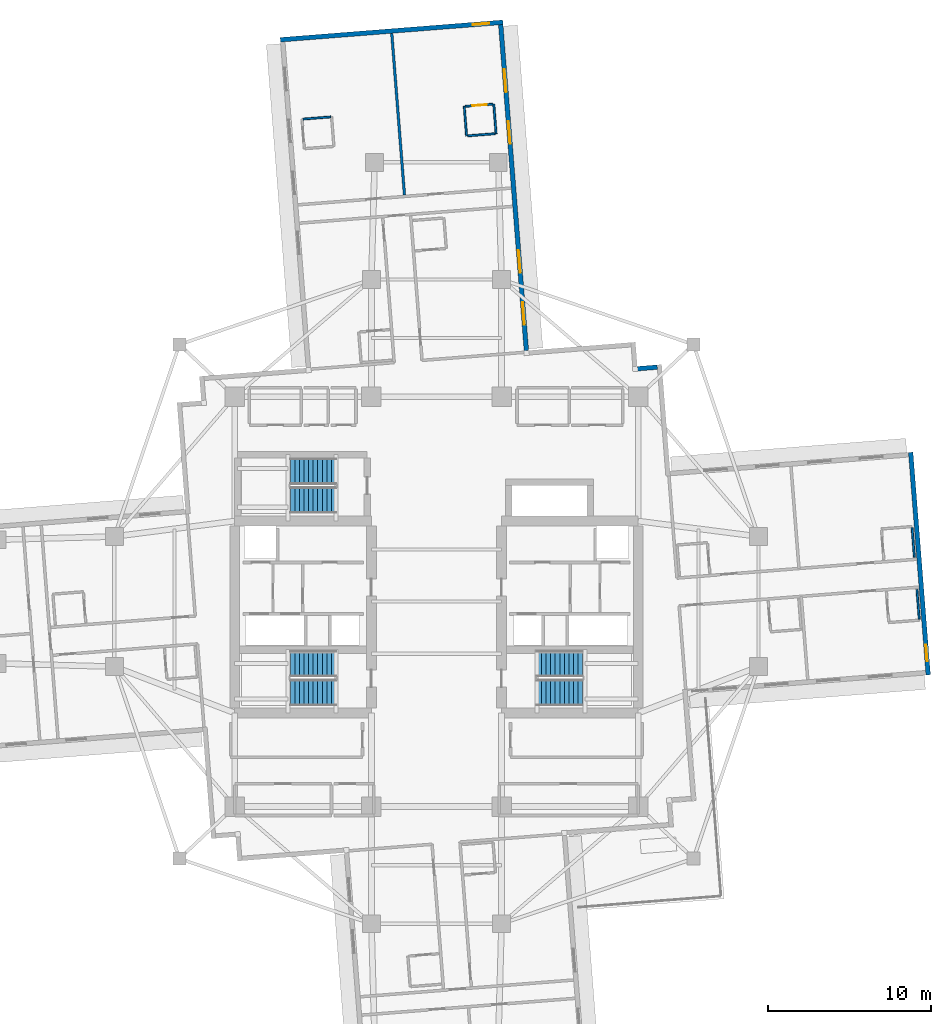
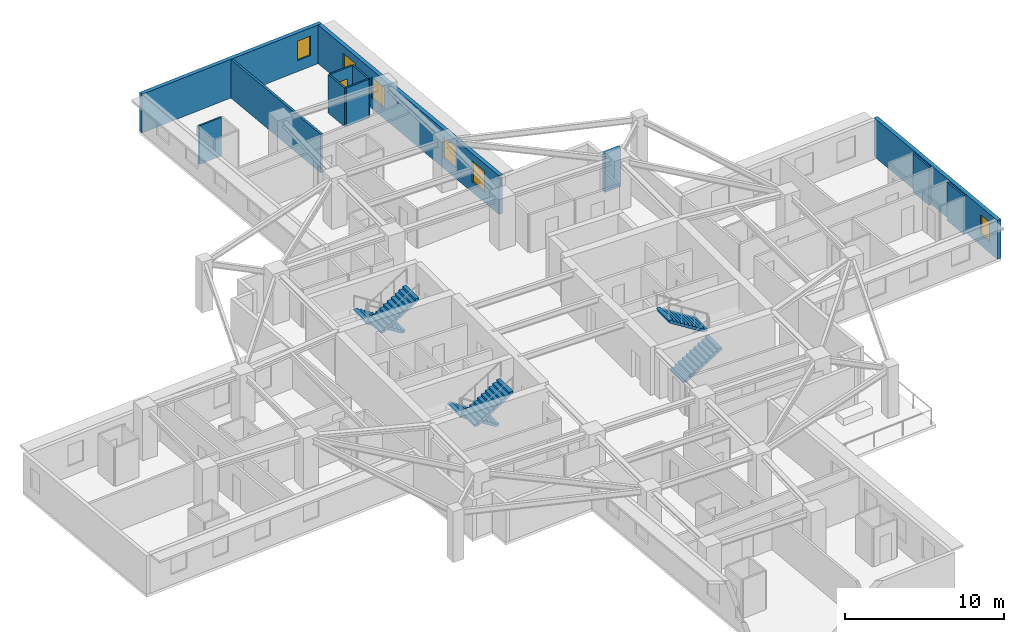
# One storey, part 9 of 14: 12 walls, 6 stair flights, 6 windows, 1 door, 7 openings, 3 elements without a shape of their own.
"""IFC4 building model written with IfcOpenShell, lengths in metres."""

from ifc_helpers import new_model, si_unit, direction, frame, frame_2d, origin, place, context, subcontext, project, spatial, polyline, rectangle, outline, extrude, material, layer, layer_set, type_object, element, fill, aggregate, save


model = new_model("IFC4")

# Units and contexts
model_context = context("Model", 3, precision=1e-05, world=origin(), true_north=direction((0.0, 1.0)))
body_context = subcontext(model_context, "Body", "Model", "MODEL_VIEW")
ifc_project = project(units=[si_unit("LENGTHUNIT", "METRE"), si_unit("AREAUNIT", "SQUARE_METRE"), si_unit("VOLUMEUNIT", "CUBIC_METRE"), si_unit("PLANEANGLEUNIT", "RADIAN"), si_unit("MASSUNIT", "GRAM", prefix="KILO")], contexts=[model_context])

# Site, building, storey
site_placement = place(None, origin())
site = spatial("IfcSite", under=ifc_project, at=site_placement, CompositionType="ELEMENT")
building_placement = place(site_placement, origin())
building = spatial("IfcBuilding", under=site, at=building_placement, Name="Qingluan Cross Belvedere", CompositionType="ELEMENT")
storey_placement = place(building_placement, frame((0.0, 0.0, 124.199951171875)))
storey = spatial("IfcBuildingStorey", under=building, at=storey_placement, Name="L31", CompositionType="ELEMENT", Elevation=124.199951171875)

# Walls
ifc_material_1 = material(Name="Gypsum plasterboard on steel stud acoustic partition", Category="steel")
ifc_layer_1 = layer(ifc_material_1, 0.159912109375, Name="CorridorPartition_160")
ifc_layer_set_1 = layer_set([ifc_layer_1], Name="Gypsum plasterboard on steel stud acoustic partition")
wall_type_1 = type_object("IfcWallType", Name="CorridorPartition_160", PredefinedType="PARTITIONING", material=ifc_layer_set_1)
wall_1_placement = place(storey_placement, frame((-1.967041015625, 24.99267578125, 0.0), z_axis=(0.0, 0.0, 1.0), x_axis=(-0.078446753713, 0.996918304994, 0.0)))
element("IfcWall", 1, at=wall_1_placement, inside=storey, type_object=wall_type_1, Name="Partition L31:Ncap:mid", PredefinedType="PARTITIONING", context=body_context, shape_type="SweptSolid", body=[
    extrude(rectangle(XDim=9.962158203125, YDim=0.159912109375, at=frame_2d((4.98095703125, 0.0))), origin(), (0.0, 0.0, 1.0), 2.9599609375),
])
ifc_material_2 = material(Name="Moisture-resistant gypsum board lining")
ifc_layer_2 = layer(ifc_material_2, 0.1201171875, Name="EnsuiteWetPartition_120")
ifc_layer_set_2 = layer_set([ifc_layer_2], Name="Moisture-resistant gypsum board lining")
wall_type_2 = type_object("IfcWallType", Name="EnsuiteWetPartition_120", PredefinedType="PARTITIONING", material=ifc_layer_set_2)
for number, where, z_axis, x_axis, name in (
    (2, (29.376220703125, 2.733154296875, 0.0), (0.0, 0.0, 1.0), (-0.0784709492, 0.996916400774, 0.0), "Partition L31:E:bw0_1"),
    (3, (29.67578125, -1.074951171875, 0.0), (0.0, 0.0, 1.0), (-0.0784709492, 0.996916400774, 0.0), "Partition L31:E:bw1_1"),
):
    element("IfcWall", number, at=place(storey_placement, frame(where, z_axis=z_axis, x_axis=x_axis)), inside=storey, type_object=wall_type_2, Name=name, PredefinedType="PARTITIONING", context=body_context, shape_type="SweptSolid", body=[
        extrude(rectangle(XDim=1.820068359375, YDim=0.1201171875, at=frame_2d((0.91015625, 0.0))), origin(), (0.0, 0.0, 1.0), 2.9599609375),
    ])
wall_2_placement = place(storey_placement, frame((-8.2021484375, 29.657958984375, 0.0), z_axis=(0.0, 0.0, 1.0), x_axis=(0.996920349899, 0.078420762289, 0.0)))
element("IfcWall", 4, at=wall_2_placement, inside=storey, type_object=wall_type_2, Name="Partition L31:Ncap:b1n", PredefinedType="PARTITIONING", context=body_context, shape_type="SweptSolid", body=[
    extrude(rectangle(XDim=1.69970703125, YDim=0.1201171875, at=frame_2d((0.849853515625, 0.0))), origin(), (0.0, 0.0, 1.0), 2.9599609375),
])
for number, where, z_axis, x_axis, name in (
    (5, (1.849853515625, 28.623291015625, 0.0), (0.0, 0.0, 1.0), (-0.0784709492, 0.996916400774, 0.0), "Partition L31:Ncap:b2s"),
    (6, (3.664306640625, 28.76611328125, 0.0), (0.0, 0.0, 1.0), (-0.0784709492, 0.996916400774, 0.0), "Partition L31:Ncap:b2b"),
):
    element("IfcWall", number, at=place(storey_placement, frame(where, z_axis=z_axis, x_axis=x_axis)), inside=storey, type_object=wall_type_2, Name=name, PredefinedType="PARTITIONING", context=body_context, shape_type="SweptSolid", body=[
        extrude(rectangle(XDim=1.820068359375, YDim=0.1201171875, at=frame_2d((0.91015625, 0.0))), origin(), (0.0, 0.0, 1.0), 2.9599609375),
    ])
wall_3_placement = place(storey_placement, frame((1.909912109375, 28.628173828125, 0.0), z_axis=(0.0, 0.0, 1.0), x_axis=(0.996920349899, 0.078420762289, 0.0)))
element("IfcWall", 7, at=wall_3_placement, inside=storey, type_object=wall_type_2, Name="Partition L31:Ncap:b2a", PredefinedType="PARTITIONING", context=body_context, shape_type="SweptSolid", body=[
    extrude(rectangle(XDim=1.69970703125, YDim=0.1201171875, at=frame_2d((0.849853515625, 0.0))), origin(), (0.0, 0.0, 1.0), 2.9599609375),
])

# Wall, opening, door
wall_4_placement = place(storey_placement, frame((1.76708984375, 30.4423828125, 0.0), z_axis=(0.0, 0.0, 1.0), x_axis=(0.996909111094, 0.078563504361, 0.0)))
wall_4 = element("IfcWall", 8, at=wall_4_placement, inside=storey, type_object=wall_type_2, Name="Partition L31:Ncap:b2n", PredefinedType="PARTITIONING", context=body_context, shape_type="SweptSolid", body=[
    extrude(rectangle(XDim=1.699951171875, YDim=0.1201171875, at=frame_2d((0.85009765625, 0.0))), origin(), (0.0, 0.0, 1.0), 2.9599609375),
])
opening_1_placement = place(wall_4_placement, frame((0.449951171875, 0.0, 0.0)))
opening_1 = element("IfcOpeningElement", 9, at=opening_1_placement, cuts=wall_4, Name="Opening BD-09", PredefinedType="OPENING", context=body_context, shape_type="SweptSolid", body=[
    extrude(rectangle(XDim=0.8798828125, YDim=2.10009765625, at=frame_2d((0.43994140625, 1.050048828125))), frame((0.0, 0.070068359375, 0.0), z_axis=(0.0, -1.0, 0.0), x_axis=(1.0, 0.0, 0.0)), (0.0, 0.0, 1.0), 0.14013671875),
])
ifc_material_3 = material(Name="Moisture-sealed timber en-suite door", Category="wood")
door_type = type_object("IfcDoorType", Name="BathroomDoor_880", OperationType="NOTDEFINED", PredefinedType="DOOR", material=ifc_material_3)
door_placement = place(opening_1_placement, origin())
door = element("IfcDoor", 10, at=door_placement, inside=storey, type_object=door_type, Name="En-suite bathroom door L31N2", OperationType="SINGLE_SWING_RIGHT", OverallHeight=2.10009765625, OverallWidth=0.8798828125, PredefinedType="DOOR", context=body_context, shape_type="SweptSolid", body=[
    extrude(rectangle(XDim=0.8798828125, YDim=2.10009765625, at=frame_2d((0.43994140625, 1.050048828125))), frame((0.0, 0.02490234375, 0.0), z_axis=(0.0, -1.0, 0.0), x_axis=(1.0, 0.0, 0.0)), (0.0, 0.0, 1.0), 0.050048828125),
])
fill(opening_1, door)

# Wall, opening, window
ifc_material_4 = material(Name="Precast concrete C45", Category="concrete")
ifc_layer_3 = layer(ifc_material_4, 0.280029296875, Name="PrecastFacadeWall_280")
ifc_layer_set_3 = layer_set([ifc_layer_3], Name="Precast concrete C45")
wall_type_3 = type_object("IfcWallType", Name="PrecastFacadeWall_280", PredefinedType="STANDARD", material=ifc_layer_set_3)
wall_5_placement = place(storey_placement, frame((30.226318359375, -4.502197265625, 0.0), z_axis=(0.0, 0.0, 1.0), x_axis=(-0.078457226018, 0.996917480881, 0.0)))
wall_5 = element("IfcWall", 11, at=wall_5_placement, inside=storey, type_object=wall_type_3, Name="Arm tip precast facade wall L31-E", PredefinedType="STANDARD", context=body_context, shape_type="SweptSolid", body=[
    extrude(rectangle(XDim=13.7197265625, YDim=0.280029296875, at=frame_2d((6.85986328125, 0.0))), origin(), (0.0, 0.0, 1.0), 2.969970703125),
])
opening_2_placement = place(wall_5_placement, frame((0.85009765625, 0.0, 0.85009765625)))
opening_2 = element("IfcOpeningElement", 12, at=opening_2_placement, cuts=wall_5, Name="Opening W-03", PredefinedType="OPENING", context=body_context, shape_type="SweptSolid", body=[
    extrude(rectangle(XDim=1.0, YDim=1.5, at=frame_2d((0.5, 0.75))), frame((0.0, 0.14990234375, 0.0), z_axis=(0.0, -1.0, 0.0), x_axis=(1.0, 0.0, 0.0)), (0.0, 0.0, 1.0), 0.300048828125),
])
ifc_material_5 = material(Name="Thermally broken triple Low-E glass in aluminium frame", Category="aluminium")
window_type_1 = type_object("IfcWindowType", Name="TriApexWin_1000x1500", PartitioningType="SINGLE_PANEL", PredefinedType="WINDOW", material=ifc_material_5)
window_1_placement = place(opening_2_placement, origin())
window_1 = element("IfcWindow", 13, at=window_1_placement, inside=storey, type_object=window_type_1, Name="Arm tip triangular window L31-E", OverallHeight=1.5, OverallWidth=1.0, PartitioningType="SINGLE_PANEL", PredefinedType="WINDOW", context=body_context, shape_type="SweptSolid", body=[
    extrude(rectangle(XDim=1.0, YDim=1.5, at=frame_2d((0.5, 0.75))), frame((0.0, 0.030029296875, 0.0), z_axis=(0.0, -1.0, 0.0), x_axis=(1.0, 0.0, 0.0)), (0.0, 0.0, 1.0), 0.06005859375),
])
fill(opening_2, window_1)

# Wall, openings, windows
wall_6_placement = place(storey_placement, frame((5.527099609375, 15.421142578125, 0.0), z_axis=(0.0, 0.0, 1.0), x_axis=(-0.078452802979, 0.996917828963, 0.0)))
wall_6 = element("IfcWall", 14, at=wall_6_placement, inside=storey, type_object=wall_type_3, Name="Facade wall L31-NA", PredefinedType="STANDARD", context=body_context, shape_type="SweptSolid", body=[
    extrude(rectangle(XDim=20.10009765625, YDim=0.280029296875, at=frame_2d((10.050048828125, 0.0))), origin(), (0.0, 0.0, 1.0), 2.969970703125),
])
opening_3_placement = place(wall_6_placement, frame((1.60009765625, 0.0, 0.800048828125)))
opening_3 = element("IfcOpeningElement", 15, at=opening_3_placement, cuts=wall_6, Name="Opening W-01", PredefinedType="OPENING", context=body_context, shape_type="SweptSolid", body=[
    extrude(rectangle(XDim=1.39990234375, YDim=1.60009765625, at=frame_2d((0.699951171875, 0.800048828125))), frame((0.0, 0.14990234375, 0.0), z_axis=(0.0, -1.0, 0.0), x_axis=(1.0, 0.0, 0.0)), (0.0, 0.0, 1.0), 0.300048828125),
])
opening_4_placement = place(wall_6_placement, frame((4.800048828125, 0.0, 0.800048828125)))
opening_4 = element("IfcOpeningElement", 16, at=opening_4_placement, cuts=wall_6, Name="Opening W-01", PredefinedType="OPENING", context=body_context, shape_type="SweptSolid", body=[
    extrude(rectangle(XDim=1.39990234375, YDim=1.60009765625, at=frame_2d((0.699951171875, 0.800048828125))), frame((0.0, 0.14990234375, 0.0), z_axis=(0.0, -1.0, 0.0), x_axis=(1.0, 0.0, 0.0)), (0.0, 0.0, 1.0), 0.300048828125),
])
opening_5_placement = place(wall_6_placement, frame((12.75, 0.0, 0.800048828125)))
opening_5 = element("IfcOpeningElement", 17, at=opening_5_placement, cuts=wall_6, Name="Opening W-01", PredefinedType="OPENING", context=body_context, shape_type="SweptSolid", body=[
    extrude(rectangle(XDim=1.39990234375, YDim=1.60009765625, at=frame_2d((0.699951171875, 0.800048828125))), frame((0.0, 0.14990234375, 0.0), z_axis=(0.0, -1.0, 0.0), x_axis=(1.0, 0.0, 0.0)), (0.0, 0.0, 1.0), 0.300048828125),
])
opening_6_placement = place(wall_6_placement, frame((15.949951171875, 0.0, 0.800048828125)))
opening_6 = element("IfcOpeningElement", 18, at=opening_6_placement, cuts=wall_6, Name="Opening W-01", PredefinedType="OPENING", context=body_context, shape_type="SweptSolid", body=[
    extrude(rectangle(XDim=1.39990234375, YDim=1.60009765625, at=frame_2d((0.699951171875, 0.800048828125))), frame((0.0, 0.14990234375, 0.0), z_axis=(0.0, -1.0, 0.0), x_axis=(1.0, 0.0, 0.0)), (0.0, 0.0, 1.0), 0.300048828125),
])
ifc_material_6 = material(Name="Thermally broken triple Low-E glass in aluminium frame", Category="aluminium")
window_type_2 = type_object("IfcWindowType", Name="TriRibbonWin_1400x1600", PartitioningType="SINGLE_PANEL", PredefinedType="WINDOW", material=ifc_material_6)
window_2_placement = place(opening_3_placement, origin())
window_2 = element("IfcWindow", 19, at=window_2_placement, inside=storey, type_object=window_type_2, Name="Ribbon window L31-NA-1", OverallHeight=1.60009765625, OverallWidth=1.39990234375, PartitioningType="SINGLE_PANEL", PredefinedType="WINDOW", context=body_context, shape_type="SweptSolid", body=[
    extrude(rectangle(XDim=1.39990234375, YDim=1.60009765625, at=frame_2d((0.699951171875, 0.800048828125))), frame((0.0, 0.030029296875, 0.0), z_axis=(0.0, -1.0, 0.0), x_axis=(1.0, 0.0, 0.0)), (0.0, 0.0, 1.0), 0.06005859375),
])
fill(opening_3, window_2)
window_3_placement = place(opening_4_placement, origin())
window_3 = element("IfcWindow", 20, at=window_3_placement, inside=storey, type_object=window_type_2, Name="Ribbon window L31-NA-2", OverallHeight=1.60009765625, OverallWidth=1.39990234375, PartitioningType="SINGLE_PANEL", PredefinedType="WINDOW", context=body_context, shape_type="SweptSolid", body=[
    extrude(rectangle(XDim=1.39990234375, YDim=1.60009765625, at=frame_2d((0.699951171875, 0.800048828125))), frame((0.0, 0.030029296875, 0.0), z_axis=(0.0, -1.0, 0.0), x_axis=(1.0, 0.0, 0.0)), (0.0, 0.0, 1.0), 0.06005859375),
])
fill(opening_4, window_3)
window_4_placement = place(opening_5_placement, origin())
window_4 = element("IfcWindow", 21, at=window_4_placement, inside=storey, type_object=window_type_2, Name="Ribbon window L31-NA-3", OverallHeight=1.60009765625, OverallWidth=1.39990234375, PartitioningType="SINGLE_PANEL", PredefinedType="WINDOW", context=body_context, shape_type="SweptSolid", body=[
    extrude(rectangle(XDim=1.39990234375, YDim=1.60009765625, at=frame_2d((0.699951171875, 0.800048828125))), frame((0.0, 0.030029296875, 0.0), z_axis=(0.0, -1.0, 0.0), x_axis=(1.0, 0.0, 0.0)), (0.0, 0.0, 1.0), 0.06005859375),
])
fill(opening_5, window_4)
window_5_placement = place(opening_6_placement, origin())
window_5 = element("IfcWindow", 22, at=window_5_placement, inside=storey, type_object=window_type_2, Name="Ribbon window L31-NA-4", OverallHeight=1.60009765625, OverallWidth=1.39990234375, PartitioningType="SINGLE_PANEL", PredefinedType="WINDOW", context=body_context, shape_type="SweptSolid", body=[
    extrude(rectangle(XDim=1.39990234375, YDim=1.60009765625, at=frame_2d((0.699951171875, 0.800048828125))), frame((0.0, 0.030029296875, 0.0), z_axis=(0.0, -1.0, 0.0), x_axis=(1.0, 0.0, 0.0)), (0.0, 0.0, 1.0), 0.06005859375),
])
fill(opening_6, window_5)

# Wall, opening, window
wall_7_placement = place(storey_placement, frame((4.07861328125, 35.60986328125, 0.0), z_axis=(0.0, 0.0, 1.0), x_axis=(-0.996916198482, -0.078473519122, 0.0)))
wall_7 = element("IfcWall", 23, at=wall_7_placement, inside=storey, type_object=wall_type_3, Name="Arm tip precast facade wall L31-N", PredefinedType="STANDARD", context=body_context, shape_type="SweptSolid", body=[
    extrude(rectangle(XDim=13.719970703125, YDim=0.280029296875, at=frame_2d((6.85986328125, 0.0))), origin(), (0.0, 0.0, 1.0), 2.969970703125),
])
opening_7_placement = place(wall_7_placement, frame((0.85009765625, 0.0, 0.85009765625)))
opening_7 = element("IfcOpeningElement", 24, at=opening_7_placement, cuts=wall_7, Name="Opening W-03", PredefinedType="OPENING", context=body_context, shape_type="SweptSolid", body=[
    extrude(rectangle(XDim=1.0, YDim=1.5, at=frame_2d((0.5, 0.75))), frame((0.0, 0.14990234375, 0.0), z_axis=(0.0, -1.0, 0.0), x_axis=(1.0, 0.0, 0.0)), (0.0, 0.0, 1.0), 0.300048828125),
])
window_6_placement = place(opening_7_placement, origin())
window_6 = element("IfcWindow", 25, at=window_6_placement, inside=storey, type_object=window_type_1, Name="Arm tip triangular window L31-N", OverallHeight=1.5, OverallWidth=1.0, PartitioningType="SINGLE_PANEL", PredefinedType="WINDOW", context=body_context, shape_type="SweptSolid", body=[
    extrude(rectangle(XDim=1.0, YDim=1.5, at=frame_2d((0.5, 0.75))), frame((0.0, 0.030029296875, 0.0), z_axis=(0.0, -1.0, 0.0), x_axis=(1.0, 0.0, 0.0)), (0.0, 0.0, 1.0), 0.06005859375),
])
fill(opening_7, window_6)

# Wall
wall_8_placement = place(storey_placement, frame((13.5712890625, 14.4091796875, 0.0), z_axis=(0.0, 0.0, 1.0), x_axis=(-0.996918772, -0.078440818672, 0.0)))
element("IfcWall", 26, at=wall_8_placement, inside=storey, type_object=wall_type_3, Name="Corner wall L31-NE2", PredefinedType="STANDARD", context=body_context, shape_type="SweptSolid", body=[
    extrude(rectangle(XDim=1.219970703125, YDim=0.280029296875, at=frame_2d((0.60986328125, 0.0))), origin(), (0.0, 0.0, 1.0), 2.969970703125),
])

# Stair, stair flights
ifc_material_7 = material(Name="Concrete C40", Category="concrete")
stair_type = type_object("IfcStairType", Name="CoreDoglegStair_1620", PredefinedType="HALF_TURN_STAIR", material=ifc_material_7)
stair_1_placement = place(storey_placement, origin())
stair_1 = element("IfcStair", 27, at=stair_1_placement, inside=storey, type_object=stair_type, Name="L31 ST1", PredefinedType="HALF_TURN_STAIR")
ifc_material_8 = material(Name="Concrete C40", Category="concrete")
ifc_layer_4 = layer(ifc_material_8, 0.179931640625, Name="StairFlight_RC180")
ifc_layer_set_4 = layer_set([ifc_layer_4], Name="Concrete C40")
stair_flight_type = type_object("IfcStairFlightType", Name="StairFlight_RC180", PredefinedType="STRAIGHT", material=ifc_layer_set_4)
stair_flight_1_placement = place(storey_placement, frame((-6.179931640625, -3.81005859375, 0.0), z_axis=(0.0, 0.0, 1.0), x_axis=(-1.0, 0.0, 0.0)))
stair_flight_1 = element("IfcStairFlight", 28, at=stair_flight_1_placement, type_object=stair_flight_type, Name="ST1 flight 1", NumberOfRisers=11, NumberOfTreads=10, PredefinedType="STRAIGHT", RiserHeight=0.177272727, TreadLength=0.28, context=body_context, shape_type="SweptSolid", body=[
    extrude(outline(polyline([(0.0, 0.0), (0.0, 0.17724609375), (0.280029296875, 0.17724609375), (0.280029296875, 0.3544921875), (0.56005859375, 0.3544921875), (0.56005859375, 0.53173828125), (0.840087890625, 0.53173828125), (0.840087890625, 0.708984375), (1.1201171875, 0.708984375), (1.1201171875, 0.886474609375), (1.39990234375, 0.886474609375), (1.39990234375, 1.063720703125), (1.679931640625, 1.063720703125), (1.679931640625, 1.240966796875), (1.9599609375, 1.240966796875), (1.9599609375, 1.418212890625), (2.239990234375, 1.418212890625), (2.239990234375, 1.595458984375), (2.52001953125, 1.595458984375), (2.52001953125, 1.772705078125), (2.800048828125, 1.772705078125), (2.800048828125, 1.949951171875), (2.800048828125, 1.59521484375), (0.2802734375, 0.0), (0.0, 0.0)])), frame((0.0, 0.81005859375, 0.0), z_axis=(0.0, -1.0, 0.0), x_axis=(1.0, 0.0, 0.0)), (0.0, 0.0, 1.0), 1.6201171875),
])
stair_flight_2_placement = place(storey_placement, frame((-8.97998046875, -5.590087890625, 1.949951171875), z_axis=(0.0, 0.0, 1.0), x_axis=(1.0, 0.0, 0.0)))
stair_flight_2 = element("IfcStairFlight", 29, at=stair_flight_2_placement, type_object=stair_flight_type, Name="ST1 flight 2", NumberOfRisers=11, NumberOfTreads=10, PredefinedType="STRAIGHT", RiserHeight=0.177272727, TreadLength=0.28, context=body_context, shape_type="SweptSolid", body=[
    extrude(outline(polyline([(0.0, 0.0), (0.0, 0.17724609375), (0.280029296875, 0.17724609375), (0.280029296875, 0.3544921875), (0.56005859375, 0.3544921875), (0.56005859375, 0.53173828125), (0.840087890625, 0.53173828125), (0.840087890625, 0.708984375), (1.1201171875, 0.708984375), (1.1201171875, 0.886474609375), (1.39990234375, 0.886474609375), (1.39990234375, 1.063720703125), (1.679931640625, 1.063720703125), (1.679931640625, 1.240966796875), (1.9599609375, 1.240966796875), (1.9599609375, 1.418212890625), (2.239990234375, 1.418212890625), (2.239990234375, 1.595458984375), (2.52001953125, 1.595458984375), (2.52001953125, 1.772705078125), (2.800048828125, 1.772705078125), (2.800048828125, 1.949951171875), (2.800048828125, 1.59521484375), (0.2802734375, 0.0), (0.0, 0.0)])), frame((0.0, 0.81005859375, 0.0), z_axis=(0.0, -1.0, 0.0), x_axis=(1.0, 0.0, 0.0)), (0.0, 0.0, 1.0), 1.6201171875),
])
aggregate(stair_1, [stair_flight_1, stair_flight_2])

stair_2_placement = place(storey_placement, origin())
stair_2 = element("IfcStair", 30, at=stair_2_placement, inside=storey, type_object=stair_type, Name="L31 ST2", PredefinedType="HALF_TURN_STAIR")
stair_flight_3_placement = place(storey_placement, frame((6.179931640625, -5.590087890625, 0.0), z_axis=(0.0, 0.0, 1.0), x_axis=(1.0, 0.0, 0.0)))
stair_flight_3 = element("IfcStairFlight", 31, at=stair_flight_3_placement, type_object=stair_flight_type, Name="ST2 flight 1", NumberOfRisers=11, NumberOfTreads=10, PredefinedType="STRAIGHT", RiserHeight=0.177272727, TreadLength=0.28, context=body_context, shape_type="SweptSolid", body=[
    extrude(outline(polyline([(0.0, 0.0), (0.0, 0.17724609375), (0.280029296875, 0.17724609375), (0.280029296875, 0.3544921875), (0.56005859375, 0.3544921875), (0.56005859375, 0.53173828125), (0.840087890625, 0.53173828125), (0.840087890625, 0.708984375), (1.1201171875, 0.708984375), (1.1201171875, 0.886474609375), (1.39990234375, 0.886474609375), (1.39990234375, 1.063720703125), (1.679931640625, 1.063720703125), (1.679931640625, 1.240966796875), (1.9599609375, 1.240966796875), (1.9599609375, 1.418212890625), (2.239990234375, 1.418212890625), (2.239990234375, 1.595458984375), (2.52001953125, 1.595458984375), (2.52001953125, 1.772705078125), (2.800048828125, 1.772705078125), (2.800048828125, 1.949951171875), (2.800048828125, 1.59521484375), (0.2802734375, 0.0), (0.0, 0.0)])), frame((0.0, 0.81005859375, 0.0), z_axis=(0.0, -1.0, 0.0), x_axis=(1.0, 0.0, 0.0)), (0.0, 0.0, 1.0), 1.6201171875),
])
stair_flight_4_placement = place(storey_placement, frame((8.97998046875, -3.81005859375, 1.949951171875), z_axis=(0.0, 0.0, 1.0), x_axis=(-1.0, 0.0, 0.0)))
stair_flight_4 = element("IfcStairFlight", 32, at=stair_flight_4_placement, type_object=stair_flight_type, Name="ST2 flight 2", NumberOfRisers=11, NumberOfTreads=10, PredefinedType="STRAIGHT", RiserHeight=0.177272727, TreadLength=0.28, context=body_context, shape_type="SweptSolid", body=[
    extrude(outline(polyline([(0.0, 0.0), (0.0, 0.17724609375), (0.280029296875, 0.17724609375), (0.280029296875, 0.3544921875), (0.56005859375, 0.3544921875), (0.56005859375, 0.53173828125), (0.840087890625, 0.53173828125), (0.840087890625, 0.708984375), (1.1201171875, 0.708984375), (1.1201171875, 0.886474609375), (1.39990234375, 0.886474609375), (1.39990234375, 1.063720703125), (1.679931640625, 1.063720703125), (1.679931640625, 1.240966796875), (1.9599609375, 1.240966796875), (1.9599609375, 1.418212890625), (2.239990234375, 1.418212890625), (2.239990234375, 1.595458984375), (2.52001953125, 1.595458984375), (2.52001953125, 1.772705078125), (2.800048828125, 1.772705078125), (2.800048828125, 1.949951171875), (2.800048828125, 1.59521484375), (0.2802734375, 0.0), (0.0, 0.0)])), frame((0.0, 0.81005859375, 0.0), z_axis=(0.0, -1.0, 0.0), x_axis=(1.0, 0.0, 0.0)), (0.0, 0.0, 1.0), 1.6201171875),
])
aggregate(stair_2, [stair_flight_3, stair_flight_4])

stair_3_placement = place(storey_placement, origin())
stair_3 = element("IfcStair", 33, at=stair_3_placement, inside=storey, type_object=stair_type, Name="L31 ST3", PredefinedType="HALF_TURN_STAIR")
stair_flight_5_placement = place(storey_placement, frame((-6.179931640625, 8.010009765625, 0.0), z_axis=(0.0, 0.0, 1.0), x_axis=(-1.0, 0.0, 0.0)))
stair_flight_5 = element("IfcStairFlight", 34, at=stair_flight_5_placement, type_object=stair_flight_type, Name="ST3 flight 1", NumberOfRisers=11, NumberOfTreads=10, PredefinedType="STRAIGHT", RiserHeight=0.177272727, TreadLength=0.28, context=body_context, shape_type="SweptSolid", body=[
    extrude(outline(polyline([(0.0, 0.0), (0.0, 0.17724609375), (0.280029296875, 0.17724609375), (0.280029296875, 0.3544921875), (0.56005859375, 0.3544921875), (0.56005859375, 0.53173828125), (0.840087890625, 0.53173828125), (0.840087890625, 0.708984375), (1.1201171875, 0.708984375), (1.1201171875, 0.886474609375), (1.39990234375, 0.886474609375), (1.39990234375, 1.063720703125), (1.679931640625, 1.063720703125), (1.679931640625, 1.240966796875), (1.9599609375, 1.240966796875), (1.9599609375, 1.418212890625), (2.239990234375, 1.418212890625), (2.239990234375, 1.595458984375), (2.52001953125, 1.595458984375), (2.52001953125, 1.772705078125), (2.800048828125, 1.772705078125), (2.800048828125, 1.949951171875), (2.800048828125, 1.59521484375), (0.2802734375, 0.0), (0.0, 0.0)])), frame((0.0, 0.81005859375, 0.0), z_axis=(0.0, -1.0, 0.0), x_axis=(1.0, 0.0, 0.0)), (0.0, 0.0, 1.0), 1.6201171875),
])
stair_flight_6_placement = place(storey_placement, frame((-8.97998046875, 6.22998046875, 1.949951171875), z_axis=(0.0, 0.0, 1.0), x_axis=(1.0, 0.0, 0.0)))
stair_flight_6 = element("IfcStairFlight", 35, at=stair_flight_6_placement, type_object=stair_flight_type, Name="ST3 flight 2", NumberOfRisers=11, NumberOfTreads=10, PredefinedType="STRAIGHT", RiserHeight=0.177272727, TreadLength=0.28, context=body_context, shape_type="SweptSolid", body=[
    extrude(outline(polyline([(0.0, 0.0), (0.0, 0.17724609375), (0.280029296875, 0.17724609375), (0.280029296875, 0.3544921875), (0.56005859375, 0.3544921875), (0.56005859375, 0.53173828125), (0.840087890625, 0.53173828125), (0.840087890625, 0.708984375), (1.1201171875, 0.708984375), (1.1201171875, 0.886474609375), (1.39990234375, 0.886474609375), (1.39990234375, 1.063720703125), (1.679931640625, 1.063720703125), (1.679931640625, 1.240966796875), (1.9599609375, 1.240966796875), (1.9599609375, 1.418212890625), (2.239990234375, 1.418212890625), (2.239990234375, 1.595458984375), (2.52001953125, 1.595458984375), (2.52001953125, 1.772705078125), (2.800048828125, 1.772705078125), (2.800048828125, 1.949951171875), (2.800048828125, 1.59521484375), (0.2802734375, 0.0), (0.0, 0.0)])), frame((0.0, 0.81005859375, 0.0), z_axis=(0.0, -1.0, 0.0), x_axis=(1.0, 0.0, 0.0)), (0.0, 0.0, 1.0), 1.6201171875),
])
aggregate(stair_3, [stair_flight_5, stair_flight_6])

save(model, "model.ifc")
